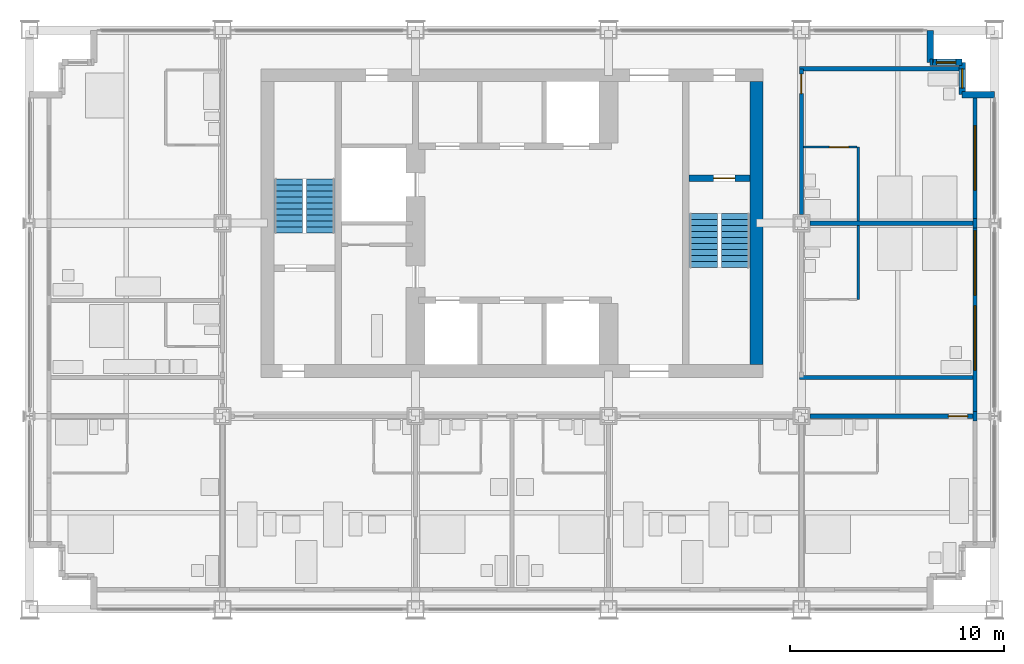
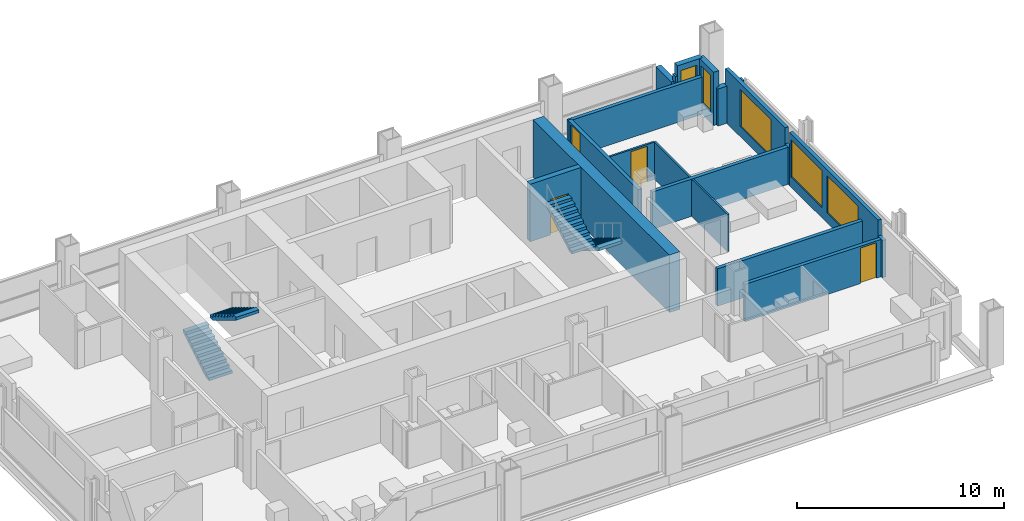
# One storey, part 10 of 13: 19 walls, 5 windows, 4 doors, 4 stair flights, 9 openings, 2 elements without a shape of their own.
"""IFC4 building model written with IfcOpenShell, lengths in metres."""

from ifc_helpers import new_model, si_unit, direction, frame, frame_2d, origin, place, context, subcontext, project, spatial, polyline, rectangle, outline, extrude, material, layer, layer_set, type_object, element, fill, aggregate, save


model = new_model("IFC4")

# Units and contexts
model_context = context("Model", 3, precision=1e-05, world=origin(), true_north=direction((0.0, 1.0)))
body_context = subcontext(model_context, "Body", "Model", "MODEL_VIEW")
ifc_project = project(units=[si_unit("LENGTHUNIT", "METRE"), si_unit("AREAUNIT", "SQUARE_METRE"), si_unit("VOLUMEUNIT", "CUBIC_METRE"), si_unit("PLANEANGLEUNIT", "RADIAN"), si_unit("MASSUNIT", "GRAM", prefix="KILO")], contexts=[model_context])

# Site, building, storey
site_placement = place(None, origin())
site = spatial("IfcSite", under=ifc_project, at=site_placement, CompositionType="ELEMENT")
building_placement = place(site_placement, origin())
building = spatial("IfcBuilding", under=site, at=building_placement, Name="Loomwork Tower", CompositionType="ELEMENT")
storey_placement = place(building_placement, frame((0.0, 0.0, 218.199951171875)))
storey = spatial("IfcBuildingStorey", under=building, at=storey_placement, Name="L60", CompositionType="ELEMENT", Elevation=218.199951171875)

# Wall, opening, door
ifc_material_1 = material(Name="Concrete 14000 psi (97 MPa)", Category="concrete")
ifc_layer_1 = layer(ifc_material_1, 0.300048828125)
ifc_layer_set_1 = layer_set([ifc_layer_1], Name="Core shear wall 300")
wall_type_1 = type_object("IfcWallType", Name="Core shear wall 300", PredefinedType="SHEAR", material=ifc_layer_set_1)
wall_1_placement = place(storey_placement, frame((30.75, 20.10009765625, 0.0), z_axis=(0.0, 0.0, 1.0), x_axis=(1.0, 0.0, 0.0)))
wall_1 = element("IfcWall", 1, at=wall_1_placement, inside=storey, type_object=wall_type_1, Name="Stair B north wall L60", PredefinedType="SHEAR", context=body_context, shape_type="SweptSolid", body=[
    extrude(rectangle(XDim=2.85009765625, YDim=0.300048828125, at=frame_2d((1.425048828125, 0.0))), origin(), (0.0, 0.0, 1.0), 3.400146484375),
])
opening_1_placement = place(wall_1_placement, frame((1.14990234375, 0.0, 0.0)))
opening_1 = element("IfcOpeningElement", 2, at=opening_1_placement, cuts=wall_1, Name="Opening D4", PredefinedType="OPENING", context=body_context, shape_type="SweptSolid", body=[
    extrude(rectangle(XDim=1.0, YDim=2.10009765625, at=frame_2d((0.5, 1.050048828125))), frame((0.0, 0.159912109375, 0.0), z_axis=(0.0, -1.0, 0.0), x_axis=(1.0, 0.0, 0.0)), (0.0, 0.0, 1.0), 0.320068359375),
])
ifc_material_2 = material(Name="Hollow metal door and frame")
door_type_1 = type_object("IfcDoorType", Name="Stair door 1000", OperationType="SINGLE_SWING_RIGHT", PredefinedType="DOOR", material=ifc_material_2)
door_1_placement = place(opening_1_placement, frame((1.0, 0.0, 0.0), z_axis=(0.0, 0.0, 1.0), x_axis=(-1.0, 0.0, 0.0)))
door_1 = element("IfcDoor", 3, at=door_1_placement, inside=storey, type_object=door_type_1, Name="Stair B door", OperationType="SINGLE_SWING_LEFT", OverallHeight=2.10009765625, OverallWidth=1.0, PredefinedType="DOOR", context=body_context, shape_type="SweptSolid", body=[
    extrude(rectangle(XDim=1.0, YDim=2.10009765625, at=frame_2d((0.5, 1.050048828125))), frame((0.0, 0.02490234375, 0.0), z_axis=(0.0, -1.0, 0.0), x_axis=(1.0, 0.0, 0.0)), (0.0, 0.0, 1.0), 0.050048828125),
])
fill(opening_1, door_1)

# Wall
ifc_material_3 = material(Name="Concrete 14000 psi (97 MPa)", Category="concrete")
ifc_layer_2 = layer(ifc_material_3, 0.60009765625)
ifc_layer_set_2 = layer_set([ifc_layer_2], Name="Core shear wall 600")
wall_type_2 = type_object("IfcWallType", Name="Core shear wall 600", PredefinedType="SHEAR", material=ifc_layer_set_2)
wall_2_placement = place(storey_placement, frame((33.89990234375, 11.39990234375, 0.0), z_axis=(0.0, 0.0, 1.0), x_axis=(0.0, 1.0, 0.0)))
element("IfcWall", 4, at=wall_2_placement, inside=storey, type_object=wall_type_2, Name="Core wall east L60", PredefinedType="SHEAR", context=body_context, shape_type="SweptSolid", body=[
    extrude(rectangle(XDim=13.2001953125, YDim=0.60009765625, at=frame_2d((6.60009765625, 0.0))), origin(), (0.0, 0.0, 1.0), 3.400146484375),
])

# Wall, opening, door
ifc_material_4 = material(Name="Gypsum board on steel studs, one-hour", Category="steel")
ifc_layer_3 = layer(ifc_material_4, 0.199951171875)
ifc_layer_set_3 = layer_set([ifc_layer_3], Name="Corridor wall 200")
wall_type_3 = type_object("IfcWallType", Name="Corridor wall 200", PredefinedType="PARTITIONING", material=ifc_layer_set_3)
wall_3_placement = place(storey_placement, frame((36.39990234375, 9.0, 0.0), z_axis=(0.0, 0.0, 1.0), x_axis=(1.0, 0.0, 0.0)))
wall_3 = element("IfcWall", 5, at=wall_3_placement, inside=storey, type_object=wall_type_3, Name="South corridor wall 5", PredefinedType="PARTITIONING", context=body_context, shape_type="SweptSolid", body=[
    extrude(rectangle(XDim=7.60009765625, YDim=0.199951171875, at=frame_2d((3.800048828125, 0.0))), origin(), (0.0, 0.0, 1.0), 2.210205078125),
])
opening_2_placement = place(wall_3_placement, frame((6.449951171875, 0.0, 0.0)))
opening_2 = element("IfcOpeningElement", 6, at=opening_2_placement, cuts=wall_3, Name="Opening D1", PredefinedType="OPENING", context=body_context, shape_type="SweptSolid", body=[
    extrude(rectangle(XDim=0.89990234375, YDim=2.10009765625, at=frame_2d((0.449951171875, 1.050048828125))), frame((0.0, 0.10986328125, 0.0), z_axis=(0.0, -1.0, 0.0), x_axis=(1.0, 0.0, 0.0)), (0.0, 0.0, 1.0), 0.219970703125),
])
ifc_material_5 = material(Name="Hollow metal door and frame")
door_type_2 = type_object("IfcDoorType", Name="Guest room entry door 900", OperationType="SINGLE_SWING_LEFT", PredefinedType="DOOR", material=ifc_material_5)
door_2_placement = place(opening_2_placement, frame((0.89990234375, 0.0, 0.0), z_axis=(0.0, 0.0, 1.0), x_axis=(-1.0, 0.0, 0.0)))
door_2 = element("IfcDoor", 7, at=door_2_placement, inside=storey, type_object=door_type_2, Name="Guest room entry door L60 6", OperationType="SINGLE_SWING_LEFT", OverallHeight=2.10009765625, OverallWidth=0.89990234375, PredefinedType="DOOR", context=body_context, shape_type="SweptSolid", body=[
    extrude(rectangle(XDim=0.89990234375, YDim=2.10009765625, at=frame_2d((0.449951171875, 1.050048828125))), frame((0.0, 0.02490234375, 0.0), z_axis=(0.0, -1.0, 0.0), x_axis=(1.0, 0.0, 0.0)), (0.0, 0.0, 1.0), 0.050048828125),
])
fill(opening_2, door_2)

wall_4_placement = place(storey_placement, frame((36.0, 18.39990234375, 0.0), z_axis=(0.0, 0.0, 1.0), x_axis=(0.0, 1.0, 0.0)))
wall_4 = element("IfcWall", 8, at=wall_4_placement, inside=storey, type_object=wall_type_3, Name="East corridor wall 2", PredefinedType="PARTITIONING", context=body_context, shape_type="SweptSolid", body=[
    extrude(rectangle(XDim=6.800048828125, YDim=0.199951171875, at=frame_2d((3.39990234375, 0.0))), origin(), (0.0, 0.0, 1.0), 2.210205078125),
])
opening_3_placement = place(wall_4_placement, frame((5.64990234375, 0.0, 0.0)))
opening_3 = element("IfcOpeningElement", 9, at=opening_3_placement, cuts=wall_4, Name="Opening D1", PredefinedType="OPENING", context=body_context, shape_type="SweptSolid", body=[
    extrude(rectangle(XDim=0.89990234375, YDim=2.10009765625, at=frame_2d((0.449951171875, 1.050048828125))), frame((0.0, 0.10986328125, 0.0), z_axis=(0.0, -1.0, 0.0), x_axis=(1.0, 0.0, 0.0)), (0.0, 0.0, 1.0), 0.219970703125),
])
door_3_placement = place(opening_3_placement, frame((0.89990234375, 0.0, 0.0), z_axis=(0.0, 0.0, 1.0), x_axis=(-1.0, 0.0, 0.0)))
door_3 = element("IfcDoor", 10, at=door_3_placement, inside=storey, type_object=door_type_2, Name="Guest room entry door L60 10", OperationType="SINGLE_SWING_LEFT", OverallHeight=2.10009765625, OverallWidth=0.89990234375, PredefinedType="DOOR", context=body_context, shape_type="SweptSolid", body=[
    extrude(rectangle(XDim=0.89990234375, YDim=2.10009765625, at=frame_2d((0.449951171875, 1.050048828125))), frame((0.0, 0.02490234375, 0.0), z_axis=(0.0, -1.0, 0.0), x_axis=(1.0, 0.0, 0.0)), (0.0, 0.0, 1.0), 0.050048828125),
])
fill(opening_3, door_3)

# Walls
wall_5_placement = place(storey_placement, frame((35.89990234375, 10.800048828125, 0.0), z_axis=(0.0, 0.0, 1.0), x_axis=(1.0, 0.0, 0.0)))
element("IfcWall", 11, at=wall_5_placement, inside=storey, type_object=wall_type_3, Name="East band end wall S", PredefinedType="PARTITIONING", context=body_context, shape_type="SweptSolid", body=[
    extrude(rectangle(XDim=8.10009765625, YDim=0.199951171875, at=frame_2d((4.050048828125, 0.0))), origin(), (0.0, 0.0, 1.0), 2.2099609375),
])
wall_6_placement = place(storey_placement, frame((35.89990234375, 25.199951171875, 0.0), z_axis=(0.0, 0.0, 1.0), x_axis=(1.0, 0.0, 0.0)))
element("IfcWall", 12, at=wall_6_placement, inside=storey, type_object=wall_type_3, Name="East band end wall N", PredefinedType="PARTITIONING", context=body_context, shape_type="SweptSolid", body=[
    extrude(rectangle(XDim=7.4501953125, YDim=0.199951171875, at=frame_2d((3.72509765625, 0.0))), origin(), (0.0, 0.0, 1.0), 2.2099609375),
])
ifc_material_6 = material(Name="Cement board on steel studs", Category="steel")
ifc_layer_4 = layer(ifc_material_6, 0.10009765625)
ifc_layer_set_4 = layer_set([ifc_layer_4], Name="En-suite partition 100")
wall_type_4 = type_object("IfcWallType", Name="En-suite partition 100", PredefinedType="PARTITIONING", material=ifc_layer_set_4)
for number, where, z_axis, x_axis, name in (
    (13, (38.64990234375, 14.449951171875, 0.0), (0.0, 0.0, 1.0), (0.0, 1.0, 0.0), "En-suite wall L60 room 9"),
    (14, (38.64990234375, 18.10009765625, 0.0), (0.0, 0.0, 1.0), (0.0, 1.0, 0.0), "En-suite wall L60 room 10"),
):
    element("IfcWall", number, at=place(storey_placement, frame(where, z_axis=z_axis, x_axis=x_axis)), inside=storey, type_object=wall_type_4, Name=name, PredefinedType="PARTITIONING", context=body_context, shape_type="SweptSolid", body=[
        extrude(rectangle(XDim=3.449951171875, YDim=0.10009765625, at=frame_2d((1.72509765625, 0.0))), origin(), (0.0, 0.0, 1.0), 2.2021484375),
    ])

# Wall, opening, door
wall_7_placement = place(storey_placement, frame((36.10009765625, 21.550048828125, 0.0), z_axis=(0.0, 0.0, 1.0), x_axis=(1.0, 0.0, 0.0)))
wall_7 = element("IfcWall", 15, at=wall_7_placement, inside=storey, type_object=wall_type_4, Name="En-suite side wall L60 room 10", PredefinedType="PARTITIONING", context=body_context, shape_type="SweptSolid", body=[
    extrude(rectangle(XDim=2.5, YDim=0.10009765625, at=frame_2d((1.25, 0.0))), origin(), (0.0, 0.0, 1.0), 2.2099609375),
])
opening_4_placement = place(wall_7_placement, frame((1.199951171875, 0.0, 0.0)))
opening_4 = element("IfcOpeningElement", 16, at=opening_4_placement, cuts=wall_7, Name="Opening D2", PredefinedType="OPENING", context=body_context, shape_type="SweptSolid", body=[
    extrude(rectangle(XDim=0.89990234375, YDim=2.10009765625, at=frame_2d((0.449951171875, 1.050048828125))), frame((0.0, 0.06005859375, 0.0), z_axis=(0.0, -1.0, 0.0), x_axis=(1.0, 0.0, 0.0)), (0.0, 0.0, 1.0), 0.1201171875),
])
ifc_material_7 = material(Name="Hollow metal door and frame")
door_type_3 = type_object("IfcDoorType", Name="En-suite door 900", OperationType="SINGLE_SWING_LEFT", PredefinedType="DOOR", material=ifc_material_7)
door_4_placement = place(opening_4_placement, frame((0.89990234375, 0.0, 0.0), z_axis=(0.0, 0.0, 1.0), x_axis=(-1.0, 0.0, 0.0)))
door_4 = element("IfcDoor", 17, at=door_4_placement, inside=storey, type_object=door_type_3, Name="En-suite door room 10", OperationType="SINGLE_SWING_LEFT", OverallHeight=2.10009765625, OverallWidth=0.89990234375, PredefinedType="DOOR", context=body_context, shape_type="SweptSolid", body=[
    extrude(rectangle(XDim=0.89990234375, YDim=2.10009765625, at=frame_2d((0.449951171875, 1.050048828125))), frame((0.0, 0.02490234375, 0.0), z_axis=(0.0, -1.0, 0.0), x_axis=(1.0, 0.0, 0.0)), (0.0, 0.0, 1.0), 0.050048828125),
])
fill(opening_4, door_4)

# Walls
ifc_material_8 = material(Name="Gypsum board on steel studs, acoustic", Category="steel")
ifc_layer_5 = layer(ifc_material_8, 0.199951171875)
ifc_layer_set_5 = layer_set([ifc_layer_5], Name="Guest room party wall 200")
wall_type_5 = type_object("IfcWallType", Name="Guest room party wall 200", PredefinedType="PARTITIONING", material=ifc_layer_set_5)
wall_8_placement = place(storey_placement, frame((36.39990234375, 18.0, 0.0), z_axis=(0.0, 0.0, 1.0), x_axis=(1.0, 0.0, 0.0)))
element("IfcWall", 18, at=wall_8_placement, inside=storey, type_object=wall_type_5, Name="Guest room party wall E 18", PredefinedType="PARTITIONING", context=body_context, shape_type="SweptSolid", body=[
    extrude(rectangle(XDim=7.60009765625, YDim=0.199951171875, at=frame_2d((3.800048828125, 0.0))), origin(), (0.0, 0.0, 1.0), 2.20263671875),
])
ifc_material_9 = material(Name="Insulated steel stud wall with gypsum lining", Category="steel")
ifc_layer_6 = layer(ifc_material_9, 0.199951171875)
ifc_layer_set_6 = layer_set([ifc_layer_6], Name="Inner skin wall 200")
wall_type_6 = type_object("IfcWallType", Name="Inner skin wall 200", PredefinedType="SOLIDWALL", material=ifc_layer_set_6)
wall_9_placement = place(storey_placement, frame((44.10009765625, 8.78466796875, 0.0), z_axis=(0.0, 0.0, 1.0), x_axis=(0.0, 1.0, 0.0)))
element("IfcWall", 19, at=wall_9_placement, inside=storey, type_object=wall_type_6, Name="Inner skin wall E bay 5", PredefinedType="SOLIDWALL", context=body_context, shape_type="SweptSolid", body=[
    extrude(rectangle(XDim=0.4306640625, YDim=0.199951171875, at=frame_2d((0.21533203125, 0.0))), origin(), (0.0, 0.0, 1.0), 2.2099609375),
])

# Wall, openings, windows
wall_10_placement = place(storey_placement, frame((44.10009765625, 9.21533203125, 0.0), z_axis=(0.0, 0.0, 1.0), x_axis=(0.0, 1.0, 0.0)))
wall_10 = element("IfcWall", 20, at=wall_10_placement, inside=storey, type_object=wall_type_6, Name="Inner skin wall E bay 6", PredefinedType="SOLIDWALL", context=body_context, shape_type="SweptSolid", body=[
    extrude(rectangle(XDim=8.570556640625, YDim=0.199951171875, at=frame_2d((4.28515625, 0.0))), origin(), (0.0, 0.0, 1.0), 3.150146484375),
])
opening_5_placement = place(wall_10_placement, frame((1.9345703125, 0.0, 0.60009765625)))
opening_5 = element("IfcOpeningElement", 21, at=opening_5_placement, cuts=wall_10, Name="Opening CH1", PredefinedType="OPENING", context=body_context, shape_type="SweptSolid", body=[
    extrude(rectangle(XDim=3.0, YDim=2.199951171875, at=frame_2d((1.5, 1.10009765625))), frame((0.0, 0.10986328125, 0.0), z_axis=(0.0, -1.0, 0.0), x_axis=(1.0, 0.0, 0.0)), (0.0, 0.0, 1.0), 0.219970703125),
])
opening_6_placement = place(wall_10_placement, frame((5.4345703125, 0.0, 0.60009765625)))
opening_6 = element("IfcOpeningElement", 22, at=opening_6_placement, cuts=wall_10, Name="Opening CH1", PredefinedType="OPENING", context=body_context, shape_type="SweptSolid", body=[
    extrude(rectangle(XDim=3.0, YDim=2.199951171875, at=frame_2d((1.5, 1.10009765625))), frame((0.0, 0.10986328125, 0.0), z_axis=(0.0, -1.0, 0.0), x_axis=(1.0, 0.0, 0.0)), (0.0, 0.0, 1.0), 0.219970703125),
])
ifc_material_10 = material(Name="Aluminium frame with clear insulated glass", Category="aluminium")
window_type_1 = type_object("IfcWindowType", Name="Chicago window 3000", PartitioningType="TRIPLE_PANEL_VERTICAL", PredefinedType="WINDOW", material=ifc_material_10)
window_1_placement = place(opening_5_placement, origin())
window_1 = element("IfcWindow", 23, at=window_1_placement, inside=storey, type_object=window_type_1, Name="Chicago window L60 bay 8", OverallHeight=2.199951171875, OverallWidth=3.0, PartitioningType="TRIPLE_PANEL_VERTICAL", PredefinedType="WINDOW", context=body_context, shape_type="SweptSolid", body=[
    extrude(rectangle(XDim=3.0, YDim=2.199951171875, at=frame_2d((1.5, 1.10009765625))), frame((0.0, 0.030029296875, 0.0), z_axis=(0.0, -1.0, 0.0), x_axis=(1.0, 0.0, 0.0)), (0.0, 0.0, 1.0), 0.06005859375),
])
fill(opening_5, window_1)
window_2_placement = place(opening_6_placement, origin())
window_2 = element("IfcWindow", 24, at=window_2_placement, inside=storey, type_object=window_type_1, Name="Chicago window L60 bay 8", OverallHeight=2.199951171875, OverallWidth=3.0, PartitioningType="TRIPLE_PANEL_VERTICAL", PredefinedType="WINDOW", context=body_context, shape_type="SweptSolid", body=[
    extrude(rectangle(XDim=3.0, YDim=2.199951171875, at=frame_2d((1.5, 1.10009765625))), frame((0.0, 0.030029296875, 0.0), z_axis=(0.0, -1.0, 0.0), x_axis=(1.0, 0.0, 0.0)), (0.0, 0.0, 1.0), 0.06005859375),
])
fill(opening_6, window_2)

# Wall
wall_11_placement = place(storey_placement, frame((44.10009765625, 17.785888671875, 0.0), z_axis=(0.0, 0.0, 1.0), x_axis=(0.0, 1.0, 0.0)))
element("IfcWall", 25, at=wall_11_placement, inside=storey, type_object=wall_type_6, Name="Inner skin wall E bay 7", PredefinedType="SOLIDWALL", context=body_context, shape_type="SweptSolid", body=[
    extrude(rectangle(XDim=0.42822265625, YDim=0.199951171875, at=frame_2d((0.214111328125, 0.0))), origin(), (0.0, 0.0, 1.0), 2.2021484375),
])

# Wall, opening, window
wall_12_placement = place(storey_placement, frame((44.10009765625, 18.214111328125, 0.0), z_axis=(0.0, 0.0, 1.0), x_axis=(0.0, 1.0, 0.0)))
wall_12 = element("IfcWall", 26, at=wall_12_placement, inside=storey, type_object=wall_type_6, Name="Inner skin wall E bay 8", PredefinedType="SOLIDWALL", context=body_context, shape_type="SweptSolid", body=[
    extrude(rectangle(XDim=5.785888671875, YDim=0.199951171875, at=frame_2d((2.89306640625, 0.0))), origin(), (0.0, 0.0, 1.0), 3.150146484375),
])
opening_7_placement = place(wall_12_placement, frame((1.3359375, 0.0, 0.60009765625)))
opening_7 = element("IfcOpeningElement", 27, at=opening_7_placement, cuts=wall_12, Name="Opening CH1", PredefinedType="OPENING", context=body_context, shape_type="SweptSolid", body=[
    extrude(rectangle(XDim=3.0, YDim=2.199951171875, at=frame_2d((1.5, 1.10009765625))), frame((0.0, 0.10986328125, 0.0), z_axis=(0.0, -1.0, 0.0), x_axis=(1.0, 0.0, 0.0)), (0.0, 0.0, 1.0), 0.219970703125),
])
window_3_placement = place(opening_7_placement, origin())
window_3 = element("IfcWindow", 28, at=window_3_placement, inside=storey, type_object=window_type_1, Name="Chicago window L60 bay 9", OverallHeight=2.199951171875, OverallWidth=3.0, PartitioningType="TRIPLE_PANEL_VERTICAL", PredefinedType="WINDOW", context=body_context, shape_type="SweptSolid", body=[
    extrude(rectangle(XDim=3.0, YDim=2.199951171875, at=frame_2d((1.5, 1.10009765625))), frame((0.0, 0.030029296875, 0.0), z_axis=(0.0, -1.0, 0.0), x_axis=(1.0, 0.0, 0.0)), (0.0, 0.0, 1.0), 0.06005859375),
])
fill(opening_7, window_3)

# Wall
ifc_material_11 = material(Name="Limestone on concrete masonry", Category="masonry")
ifc_layer_7 = layer(ifc_material_11, 0.300048828125)
ifc_layer_set_7 = layer_set([ifc_layer_7], Name="Limestone corner wall 300")
wall_type_7 = type_object("IfcWallType", Name="Limestone corner wall 300", PredefinedType="SOLIDWALL", material=ifc_layer_set_7)
wall_13_placement = place(storey_placement, frame((45.0, 24.0, 0.0), z_axis=(0.0, 0.0, 1.0), x_axis=(-1.0, 0.0, 0.0)))
element("IfcWall", 29, at=wall_13_placement, inside=storey, type_object=wall_type_7, Name="Stone corner wall NE 1", PredefinedType="SOLIDWALL", context=body_context, shape_type="SweptSolid", body=[
    extrude(rectangle(XDim=1.5, YDim=0.300048828125, at=frame_2d((0.75, 0.0))), origin(), (0.0, 0.0, 1.0), 2.2021484375),
])

# Wall, opening, window
wall_14_placement = place(storey_placement, frame((43.5, 24.0, 0.0), z_axis=(0.0, 0.0, 1.0), x_axis=(0.0, 1.0, 0.0)))
wall_14 = element("IfcWall", 30, at=wall_14_placement, inside=storey, type_object=wall_type_7, Name="Stone corner wall NE 2", PredefinedType="SOLIDWALL", context=body_context, shape_type="SweptSolid", body=[
    extrude(rectangle(XDim=1.5, YDim=0.300048828125, at=frame_2d((0.75, 0.0))), origin(), (0.0, 0.0, 1.0), 3.150146484375),
])
opening_8_placement = place(wall_14_placement, frame((0.300048828125, 0.0, 0.60009765625)))
opening_8 = element("IfcOpeningElement", 31, at=opening_8_placement, cuts=wall_14, Name="Opening CH2", PredefinedType="OPENING", context=body_context, shape_type="SweptSolid", body=[
    extrude(rectangle(XDim=0.89990234375, YDim=2.199951171875, at=frame_2d((0.449951171875, 1.10009765625))), frame((0.0, 0.159912109375, 0.0), z_axis=(0.0, -1.0, 0.0), x_axis=(1.0, 0.0, 0.0)), (0.0, 0.0, 1.0), 0.320068359375),
])
ifc_material_12 = material(Name="Aluminium frame with clear insulated glass", Category="aluminium")
window_type_2 = type_object("IfcWindowType", Name="Corner window 900", PartitioningType="SINGLE_PANEL", PredefinedType="WINDOW", material=ifc_material_12)
window_4_placement = place(opening_8_placement, origin())
window_4 = element("IfcWindow", 32, at=window_4_placement, inside=storey, type_object=window_type_2, Name="Corner window NE", OverallHeight=2.199951171875, OverallWidth=0.89990234375, PartitioningType="SINGLE_PANEL", PredefinedType="WINDOW", context=body_context, shape_type="SweptSolid", body=[
    extrude(rectangle(XDim=0.89990234375, YDim=2.199951171875, at=frame_2d((0.449951171875, 1.10009765625))), frame((0.0, 0.030029296875, 0.0), z_axis=(0.0, -1.0, 0.0), x_axis=(1.0, 0.0, 0.0)), (0.0, 0.0, 1.0), 0.06005859375),
])
fill(opening_8, window_4)

wall_15_placement = place(storey_placement, frame((43.5, 25.5, 0.0), z_axis=(0.0, 0.0, 1.0), x_axis=(-1.0, 0.0, 0.0)))
wall_15 = element("IfcWall", 33, at=wall_15_placement, inside=storey, type_object=wall_type_7, Name="Stone corner wall NE 3", PredefinedType="SOLIDWALL", context=body_context, shape_type="SweptSolid", body=[
    extrude(rectangle(XDim=1.3837890625, YDim=0.300048828125, at=frame_2d((0.69189453125, 0.0))), origin(), (0.0, 0.0, 1.0), 3.150146484375),
])
opening_9_placement = place(wall_15_placement, frame((0.300048828125, 0.0, 0.60009765625)))
opening_9 = element("IfcOpeningElement", 34, at=opening_9_placement, cuts=wall_15, Name="Opening CH2", PredefinedType="OPENING", context=body_context, shape_type="SweptSolid", body=[
    extrude(rectangle(XDim=0.89990234375, YDim=2.199951171875, at=frame_2d((0.449951171875, 1.10009765625))), frame((0.0, 0.159912109375, 0.0), z_axis=(0.0, -1.0, 0.0), x_axis=(1.0, 0.0, 0.0)), (0.0, 0.0, 1.0), 0.320068359375),
])
window_5_placement = place(opening_9_placement, origin())
window_5 = element("IfcWindow", 35, at=window_5_placement, inside=storey, type_object=window_type_2, Name="Corner window NE", OverallHeight=2.199951171875, OverallWidth=0.89990234375, PartitioningType="SINGLE_PANEL", PredefinedType="WINDOW", context=body_context, shape_type="SweptSolid", body=[
    extrude(rectangle(XDim=0.89990234375, YDim=2.199951171875, at=frame_2d((0.449951171875, 1.10009765625))), frame((0.0, 0.030029296875, 0.0), z_axis=(0.0, -1.0, 0.0), x_axis=(1.0, 0.0, 0.0)), (0.0, 0.0, 1.0), 0.06005859375),
])
fill(opening_9, window_5)

# Walls
wall_16_placement = place(storey_placement, frame((42.0, 25.5, 0.0), z_axis=(0.0, 0.0, 1.0), x_axis=(0.0, 1.0, 0.0)))
element("IfcWall", 36, at=wall_16_placement, inside=storey, type_object=wall_type_7, Name="Stone corner wall NE 4", PredefinedType="SOLIDWALL", context=body_context, shape_type="SweptSolid", body=[
    extrude(rectangle(XDim=1.5, YDim=0.300048828125, at=frame_2d((0.75, 0.0))), origin(), (0.0, 0.0, 1.0), 2.2021484375),
])
wall_17_placement = place(storey_placement, frame((42.1162109375, 25.5, 0.0), z_axis=(0.0, 0.0, 1.0), x_axis=(-1.0, 0.0, 0.0)))
element("IfcWall", 37, at=wall_17_placement, inside=storey, type_object=wall_type_7, Name="Stone corner wall NE 3 bay 2", PredefinedType="SOLIDWALL", context=body_context, shape_type="SweptSolid", body=[
    extrude(rectangle(XDim=0.1162109375, YDim=0.300048828125, at=frame_2d((0.05810546875, 0.0))), origin(), (0.0, 0.0, 1.0), 2.5419921875),
])

# Stair, stair flights
ifc_material_13 = material(Name="Concrete 5000 psi (34 MPa) precast stair", Category="concrete")
stair_type_1 = type_object("IfcStairType", Name="Stair ST-A 20 risers 2850 wide", PredefinedType="HALF_TURN_STAIR", material=ifc_material_13)
stair_1_placement = place(storey_placement, origin())
stair_1 = element("IfcStair", 38, at=stair_1_placement, inside=storey, type_object=stair_type_1, Name="Stair A L60", PredefinedType="HALF_TURN_STAIR")
ifc_material_14 = material(Name="Concrete 5000 psi (34 MPa) precast stair", Category="concrete")
stair_flight_type_1 = type_object("IfcStairFlightType", Name="Stair flight ST-A 10 risers 1300 wide", PredefinedType="STRAIGHT", material=ifc_material_14)
stair_flight_1_placement = place(storey_placement, frame((12.074951171875, 17.550048828125, 0.0), z_axis=(0.0, 0.0, 1.0), x_axis=(0.0, 1.0, 0.0)))
stair_flight_1 = element("IfcStairFlight", 39, at=stair_flight_1_placement, type_object=stair_flight_type_1, Name="ST-A flight 1", NumberOfRisers=10, NumberOfTreads=9, PredefinedType="STRAIGHT", RiserHeight=0.17, TreadLength=0.28, context=body_context, shape_type="SweptSolid", body=[
    extrude(outline(polyline([(0.0, 0.0), (0.0, 0.169921875), (0.280029296875, 0.169921875), (0.280029296875, 0.340087890625), (0.56005859375, 0.340087890625), (0.56005859375, 0.510009765625), (0.840087890625, 0.510009765625), (0.840087890625, 0.679931640625), (1.1201171875, 0.679931640625), (1.1201171875, 0.85009765625), (1.39990234375, 0.85009765625), (1.39990234375, 1.02001953125), (1.679931640625, 1.02001953125), (1.679931640625, 1.18994140625), (1.9599609375, 1.18994140625), (1.9599609375, 1.360107421875), (2.239990234375, 1.360107421875), (2.239990234375, 1.530029296875), (2.52001953125, 1.530029296875), (2.52001953125, 1.699951171875), (2.52001953125, 1.354736328125), (0.288818359375, 0.0), (0.0, 0.0)])), frame((0.0, 0.64990234375, 0.0), z_axis=(0.0, -1.0, 0.0), x_axis=(1.0, 0.0, 0.0)), (0.0, 0.0, 1.0), 1.300048828125),
])
stair_flight_2_placement = place(storey_placement, frame((13.574951171875, 20.070068359375, 1.699951171875), z_axis=(0.0, 0.0, 1.0), x_axis=(0.0, -1.0, 0.0)))
stair_flight_2 = element("IfcStairFlight", 40, at=stair_flight_2_placement, type_object=stair_flight_type_1, Name="ST-A flight 2", NumberOfRisers=10, NumberOfTreads=9, PredefinedType="STRAIGHT", RiserHeight=0.17, TreadLength=0.28, context=body_context, shape_type="SweptSolid", body=[
    extrude(outline(polyline([(0.0, 0.0), (0.0, 0.169921875), (0.280029296875, 0.169921875), (0.280029296875, 0.340087890625), (0.56005859375, 0.340087890625), (0.56005859375, 0.510009765625), (0.840087890625, 0.510009765625), (0.840087890625, 0.679931640625), (1.1201171875, 0.679931640625), (1.1201171875, 0.85009765625), (1.39990234375, 0.85009765625), (1.39990234375, 1.02001953125), (1.679931640625, 1.02001953125), (1.679931640625, 1.18994140625), (1.9599609375, 1.18994140625), (1.9599609375, 1.360107421875), (2.239990234375, 1.360107421875), (2.239990234375, 1.530029296875), (2.52001953125, 1.530029296875), (2.52001953125, 1.699951171875), (2.52001953125, 1.354736328125), (0.288818359375, 0.0), (0.0, 0.0)])), frame((0.0, 0.64990234375, 0.0), z_axis=(0.0, -1.0, 0.0), x_axis=(1.0, 0.0, 0.0)), (0.0, 0.0, 1.0), 1.300048828125),
])
aggregate(stair_1, [stair_flight_1, stair_flight_2])

ifc_material_15 = material(Name="Concrete 5000 psi (34 MPa) precast stair", Category="concrete")
stair_type_2 = type_object("IfcStairType", Name="Stair ST-B 20 risers 2850 wide", PredefinedType="HALF_TURN_STAIR", material=ifc_material_15)
stair_2_placement = place(storey_placement, origin())
stair_2 = element("IfcStair", 41, at=stair_2_placement, inside=storey, type_object=stair_type_2, Name="Stair B L60", PredefinedType="HALF_TURN_STAIR")
ifc_material_16 = material(Name="Concrete 5000 psi (34 MPa) precast stair", Category="concrete")
stair_flight_type_2 = type_object("IfcStairFlightType", Name="Stair flight ST-B 10 risers 1300 wide", PredefinedType="STRAIGHT", material=ifc_material_16)
stair_flight_3_placement = place(storey_placement, frame((32.925048828125, 18.449951171875, 0.0), z_axis=(0.0, 0.0, 1.0), x_axis=(0.0, -1.0, 0.0)))
stair_flight_3 = element("IfcStairFlight", 42, at=stair_flight_3_placement, type_object=stair_flight_type_2, Name="ST-B flight 1", NumberOfRisers=10, NumberOfTreads=9, PredefinedType="STRAIGHT", RiserHeight=0.17, TreadLength=0.28, context=body_context, shape_type="SweptSolid", body=[
    extrude(outline(polyline([(0.0, 0.0), (0.0, 0.169921875), (0.280029296875, 0.169921875), (0.280029296875, 0.340087890625), (0.56005859375, 0.340087890625), (0.56005859375, 0.510009765625), (0.840087890625, 0.510009765625), (0.840087890625, 0.679931640625), (1.1201171875, 0.679931640625), (1.1201171875, 0.85009765625), (1.39990234375, 0.85009765625), (1.39990234375, 1.02001953125), (1.679931640625, 1.02001953125), (1.679931640625, 1.18994140625), (1.9599609375, 1.18994140625), (1.9599609375, 1.360107421875), (2.239990234375, 1.360107421875), (2.239990234375, 1.530029296875), (2.52001953125, 1.530029296875), (2.52001953125, 1.699951171875), (2.52001953125, 1.354736328125), (0.288818359375, 0.0), (0.0, 0.0)])), frame((0.0, 0.64990234375, 0.0), z_axis=(0.0, -1.0, 0.0), x_axis=(1.0, 0.0, 0.0)), (0.0, 0.0, 1.0), 1.300048828125),
])
stair_flight_4_placement = place(storey_placement, frame((31.425048828125, 15.929931640625, 1.699951171875), z_axis=(0.0, 0.0, 1.0), x_axis=(0.0, 1.0, 0.0)))
stair_flight_4 = element("IfcStairFlight", 43, at=stair_flight_4_placement, type_object=stair_flight_type_2, Name="ST-B flight 2", NumberOfRisers=10, NumberOfTreads=9, PredefinedType="STRAIGHT", RiserHeight=0.17, TreadLength=0.28, context=body_context, shape_type="SweptSolid", body=[
    extrude(outline(polyline([(0.0, 0.0), (0.0, 0.169921875), (0.280029296875, 0.169921875), (0.280029296875, 0.340087890625), (0.56005859375, 0.340087890625), (0.56005859375, 0.510009765625), (0.840087890625, 0.510009765625), (0.840087890625, 0.679931640625), (1.1201171875, 0.679931640625), (1.1201171875, 0.85009765625), (1.39990234375, 0.85009765625), (1.39990234375, 1.02001953125), (1.679931640625, 1.02001953125), (1.679931640625, 1.18994140625), (1.9599609375, 1.18994140625), (1.9599609375, 1.360107421875), (2.239990234375, 1.360107421875), (2.239990234375, 1.530029296875), (2.52001953125, 1.530029296875), (2.52001953125, 1.699951171875), (2.52001953125, 1.354736328125), (0.288818359375, 0.0), (0.0, 0.0)])), frame((0.0, 0.64990234375, 0.0), z_axis=(0.0, -1.0, 0.0), x_axis=(1.0, 0.0, 0.0)), (0.0, 0.0, 1.0), 1.300048828125),
])
aggregate(stair_2, [stair_flight_3, stair_flight_4])

save(model, "model.ifc")
